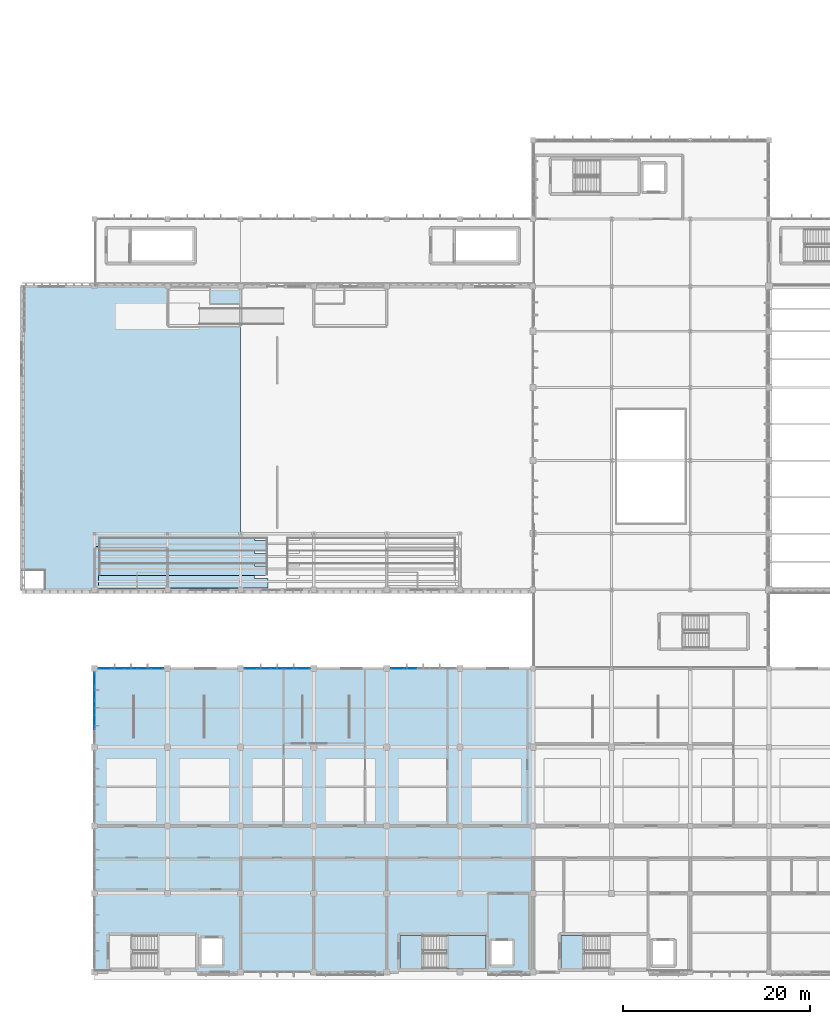
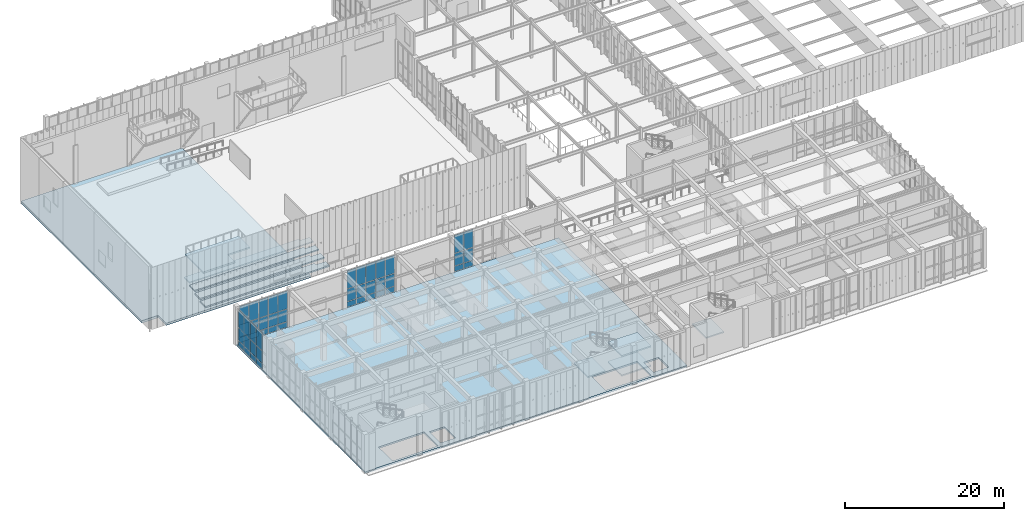
# One storey, part 55 of 105: 48 plates, 11 slabs, 6 elements without a shape of their own.
"""IFC4 building model written with IfcOpenShell, lengths in metres."""

import ifcopenshell
import ifcopenshell.guid

model = None  # the IFC model being written
_history = None  # IfcOwnerHistory: only IFC2X3 demands one
_inside = {}  # id of a spatial element -> (the spatial element, [elements in it])
_under = {}  # id of a project, library or spatial element -> (it, [spatial elements below it])
_declared = {}  # id of a project -> (the project, [libraries it declares])
_typed = {}  # id of a type object -> (the type object, [elements of that type])
_made_of = {}  # id of a material, layer set ... -> (it, [elements and type objects made of it])


def new_model(schema):
    """Start an empty IFC model of exactly this schema.

    Asked for "IFC4X3", IfcOpenShell would pick the latest addendum, in which some entities
    have other attributes; the version numbers below select the first issue.
    IFC2X3 requires an IfcOwnerHistory on every rooted entity: one is made here for all.
    """
    global model, _history
    if schema == "IFC4X3":
        model = ifcopenshell.file(schema_version=(4, 3, 0, 0))
    else:
        model = ifcopenshell.file(schema=schema)
    _inside.clear()
    _under.clear()
    _declared.clear()
    _typed.clear()
    _made_of.clear()
    _history = None
    if model.schema == "IFC2X3":
        org = make("IfcOrganization", Name="unknown")
        user = make(
            "IfcPersonAndOrganization",
            ThePerson=make("IfcPerson", FamilyName="unknown"),
            TheOrganization=org,
        )
        app = make(
            "IfcApplication",
            ApplicationDeveloper=org,
            Version="unknown",
            ApplicationFullName="unknown",
            ApplicationIdentifier="unknown",
        )
        _history = make(
            "IfcOwnerHistory",
            OwningUser=user,
            OwningApplication=app,
            ChangeAction="ADDED",
            CreationDate=0,
        )
    return model


def make(cls, **values):
    """One entity of the class cls with the attributes given. An attribute that is None is left unset."""
    return model.create_entity(
        cls, **{name: value for name, value in values.items() if value is not None}
    )


def rooted(cls, **values):
    """An entity with a GlobalId (a new one), such as an element, a storey or a relation."""
    return make(cls, GlobalId=ifcopenshell.guid.new(), OwnerHistory=_history, **values)


def si_unit(unit_type, name, prefix=None):
    """IfcSIUnit, for example si_unit("LENGTHUNIT", "METRE", prefix="MILLI")."""
    return make("IfcSIUnit", UnitType=unit_type, Prefix=prefix, Name=name)


def assignment(units):
    """IfcUnitAssignment: the units of a project."""
    return None if units is None else make("IfcUnitAssignment", Units=units)


def point(xyz):
    """IfcCartesianPoint."""
    return None if xyz is None else make("IfcCartesianPoint", Coordinates=xyz)


def direction(xyz):
    """IfcDirection."""
    return None if xyz is None else make("IfcDirection", DirectionRatios=xyz)


def frame(location, z_axis=None, x_axis=None):
    """IfcAxis2Placement3D, a coordinate frame: its origin and axes. An axis left out is left unset."""
    return make(
        "IfcAxis2Placement3D",
        Location=point(location),
        Axis=direction(z_axis),
        RefDirection=direction(x_axis),
    )


def frame_2d(location, x_axis=None):
    """IfcAxis2Placement2D, a coordinate frame in the plane: its origin and x axis."""
    return make(
        "IfcAxis2Placement2D", Location=point(location), RefDirection=direction(x_axis)
    )


def origin():
    """The frame at (0, 0, 0) with its axes left unset."""
    return frame((0.0, 0.0, 0.0))


def origin_2d():
    """The frame at (0, 0) in the plane with its x axis left unset."""
    return frame_2d((0.0, 0.0))


def place(relative_to, where):
    """IfcLocalPlacement: puts the frame where relative to a parent placement (None: the world)."""
    return make(
        "IfcLocalPlacement", PlacementRelTo=relative_to, RelativePlacement=where
    )


def context(
    kind, dimensions, precision=None, world=None, true_north=None, identifier=None
):
    """IfcGeometricRepresentationContext, for example the 3D "Model" context."""
    return make(
        "IfcGeometricRepresentationContext",
        ContextIdentifier=identifier,
        ContextType=kind,
        CoordinateSpaceDimension=dimensions,
        Precision=precision,
        WorldCoordinateSystem=world,
        TrueNorth=true_north,
    )


def subcontext(parent, identifier, kind, view, scale=None):
    """IfcGeometricRepresentationSubContext, for example "Body" below "Model"."""
    return make(
        "IfcGeometricRepresentationSubContext",
        ContextIdentifier=identifier,
        ContextType=kind,
        ParentContext=parent,
        TargetScale=scale,
        TargetView=view,
    )


def project(units=None, contexts=None):
    """IfcProject with its units and contexts."""
    return rooted(
        "IfcProject",
        Name="project",
        RepresentationContexts=contexts,
        UnitsInContext=assignment(units),
    )


def spatial(cls, under=None, at=None, **own):
    """A site, building, storey or space (cls), placed at a placement, below another one or the project."""
    s = rooted(cls, ObjectPlacement=at, **own)
    if under is not None:
        _under.setdefault(under.id(), (under, []))[1].append(s)
    return s


def polyline(points):
    """IfcPolyline through the points."""
    return make("IfcPolyline", Points=[point(p) for p in points])


def profile(cls, at=None, kind="AREA", **sizes):
    """A parametric profile (cls). Its sizes go by their IFC names, for example OverallWidth=200.0."""
    return make(cls, ProfileType=kind, Position=at, **sizes)


def rectangle(**sizes):
    """IfcRectangleProfileDef."""
    return profile("IfcRectangleProfileDef", **sizes)


def outline(outer, holes=None, kind="AREA"):
    """IfcArbitraryClosedProfileDef: a profile drawn as a closed curve; with holes, ...WithVoids."""
    if holes is None:
        return make("IfcArbitraryClosedProfileDef", ProfileType=kind, OuterCurve=outer)
    return make(
        "IfcArbitraryProfileDefWithVoids",
        ProfileType=kind,
        OuterCurve=outer,
        InnerCurves=holes,
    )


def extrude(swept, where, along, depth):
    """IfcExtrudedAreaSolid: the profile swept, set in the frame where, extruded along a direction by depth."""
    return make(
        "IfcExtrudedAreaSolid",
        SweptArea=swept,
        Position=where,
        ExtrudedDirection=direction(along),
        Depth=depth,
    )


def shape(context_of_items, identifier, shape_type, items):
    """IfcShapeRepresentation: the items that make up one representation, for example the "Body"."""
    return make(
        "IfcShapeRepresentation",
        ContextOfItems=context_of_items,
        RepresentationIdentifier=identifier,
        RepresentationType=shape_type,
        Items=items,
    )


def material(Name=None, Category=None):
    """IfcMaterial."""
    return make("IfcMaterial", Name=Name, Category=Category)


def layer(
    of_material, thickness, ventilated=None, Name=None, Category=None, Priority=None
):
    """IfcMaterialLayer: one layer of a wall or slab, of a material (None: an air gap)."""
    return make(
        "IfcMaterialLayer",
        Material=of_material,
        LayerThickness=thickness,
        IsVentilated=ventilated,
        Name=Name,
        Category=Category,
        Priority=Priority,
    )


def layer_set(layers, Name=None):
    """IfcMaterialLayerSet."""
    return make("IfcMaterialLayerSet", MaterialLayers=layers, LayerSetName=Name)


def made_of(thing, what):
    """Note that an element or type object is made of a material, layer set ...; save() writes the relation."""
    if what is not None:
        _made_of.setdefault(what.id(), (what, []))[1].append(thing)
    return thing


def type_object(cls, material=None, **own):
    """A type object (cls), such as IfcWallType, which elements share."""
    return made_of(rooted(cls, **own), material)


def element(
    cls,
    number,
    at=None,
    inside=None,
    cuts=None,
    type_object=None,
    material=None,
    context=None,
    identifier="Body",
    shape_type=None,
    held_by="IfcProductDefinitionShape",
    body=None,
    shapes=None,
    **own,
):
    """One element of the class cls, such as IfcWall. Its Tag is "e" and its number.

    at: its placement. inside: the storey or other place that contains it. cuts: it is an
    opening in that element (IfcRelVoidsElement). A single representation is given by context,
    identifier, shape_type and body (its items); several are given by shapes. held_by: the class
    of the entity that holds the representations. save() writes the other relations.
    """
    e = rooted(cls, Tag="e%d" % number, ObjectPlacement=at, **own)
    if body is not None:
        shapes = [shape(context, identifier, shape_type, body)]
    if shapes is not None:
        e.Representation = make(held_by, Representations=shapes)
    if inside is not None:
        _inside.setdefault(inside.id(), (inside, []))[1].append(e)
    if cuts is not None:
        rooted(
            "IfcRelVoidsElement", RelatingBuildingElement=cuts, RelatedOpeningElement=e
        )
    if type_object is not None:
        _typed.setdefault(type_object.id(), (type_object, []))[1].append(e)
    return made_of(e, material)


def aggregate(whole, parts):
    """IfcRelAggregates: a whole, such as a stair, and the parts it consists of."""
    return rooted("IfcRelAggregates", RelatingObject=whole, RelatedObjects=parts)


def save(model, path):
    """Write the relations noted so far, then the file.

    IfcRelAggregates (storeys below a building ...), IfcRelContainedInSpatialStructure (elements
    in a storey), IfcRelDefinesByType, IfcRelAssociatesMaterial and IfcRelDeclares: one each for
    every whole, place, type object, material and project.
    """
    for whole, parts in _under.values():
        aggregate(whole, parts)
    for where, things in _inside.values():
        rooted(
            "IfcRelContainedInSpatialStructure",
            RelatedElements=things,
            RelatingStructure=where,
        )
    for kind, things in _typed.values():
        rooted("IfcRelDefinesByType", RelatedObjects=things, RelatingType=kind)
    for what, things in _made_of.values():
        rooted("IfcRelAssociatesMaterial", RelatedObjects=things, RelatingMaterial=what)
    for by, libraries in _declared.values():
        rooted("IfcRelDeclares", RelatingContext=by, RelatedDefinitions=libraries)
    model.write(path)


model = new_model("IFC4")

# Units and contexts
model_context = context("Model", 3, precision=1e-05, world=origin(), true_north=direction((0.0, 1.0)))
body_context = subcontext(model_context, "Body", "Model", "MODEL_VIEW")
ifc_project = project(units=[si_unit("LENGTHUNIT", "METRE"), si_unit("AREAUNIT", "SQUARE_METRE"), si_unit("VOLUMEUNIT", "CUBIC_METRE"), si_unit("PLANEANGLEUNIT", "RADIAN"), si_unit("MASSUNIT", "GRAM", prefix="KILO")], contexts=[model_context])

# Site, building, storey
site_placement = place(None, origin())
site = spatial("IfcSite", under=ifc_project, at=site_placement, CompositionType="ELEMENT")
building_placement = place(site_placement, origin())
building = spatial("IfcBuilding", under=site, at=building_placement, Name="Tizgana Railside Sports Hall", CompositionType="ELEMENT")
storey_placement = place(building_placement, frame((0.0, 0.0, 6.0)))
storey = spatial("IfcBuildingStorey", under=building, at=storey_placement, Name="L01", CompositionType="ELEMENT", Elevation=6.0)

# Curtain wall, plates
ifc_material_1 = material(Name="Anodised aluminium and glass", Category="aluminium")
curtain_wall_type_1 = type_object("IfcCurtainWallType", Name="Unitised Curtain Wall Passage 1800", PredefinedType="NOTDEFINED", material=ifc_material_1)
curtain_wall_1_placement = place(storey_placement, origin())
curtain_wall_1 = element("IfcCurtainWall", 1, at=curtain_wall_1_placement, inside=storey, type_object=curtain_wall_type_1, Name="L01 Curtain Wall CW-0093", PredefinedType="NOTDEFINED")
ifc_material_2 = material(Name="Double low-E laminated glass", Category="glass")
ifc_layer_1 = layer(ifc_material_2, 0.033935546875, Name="Double low-E laminated glass")
ifc_layer_set_1 = layer_set([ifc_layer_1], Name="Double low-E laminated glass")
plate_type_1 = type_object("IfcPlateType", Name="Acoustic Laminated Glazing Panel 34", PredefinedType="CURTAIN_PANEL", material=ifc_layer_set_1)
plate_1_placement = place(storey_placement, frame((24.500244140625, 32.39990234375, 0.06494140625), z_axis=(0.0, 0.0, 1.0), x_axis=(1.0, 0.0, 0.0)))
plate_1 = element("IfcPlate", 2, at=plate_1_placement, type_object=plate_type_1, Name="CW-06 panel 1.1", PredefinedType="CURTAIN_PANEL", context=body_context, shape_type="SweptSolid", body=[
    extrude(rectangle(XDim=1.310546875, YDim=0.033935546875, at=origin_2d()), origin(), (0.0, 0.0, 1.0), 0.802490234375),
])
plate_2_placement = place(storey_placement, frame((24.500244140625, 32.39990234375, 0.932373046875), z_axis=(0.0, 0.0, 1.0), x_axis=(1.0, 0.0, 0.0)))
plate_2 = element("IfcPlate", 3, at=plate_2_placement, type_object=plate_type_1, Name="CW-06 panel 1.2", PredefinedType="CURTAIN_PANEL", context=body_context, shape_type="SweptSolid", body=[
    extrude(rectangle(XDim=1.310546875, YDim=0.033935546875, at=origin_2d()), origin(), (0.0, 0.0, 1.0), 1.89501953125),
])
plate_3_placement = place(storey_placement, frame((24.500244140625, 32.39990234375, 2.892578125), z_axis=(0.0, 0.0, 1.0), x_axis=(1.0, 0.0, 0.0)))
plate_3 = element("IfcPlate", 4, at=plate_3_placement, type_object=plate_type_1, Name="CW-06 panel 1.3", PredefinedType="CURTAIN_PANEL", context=body_context, shape_type="SweptSolid", body=[
    extrude(rectangle(XDim=1.310546875, YDim=0.033935546875, at=origin_2d()), origin(), (0.0, 0.0, 1.0), 2.762451171875),
])
plate_4_placement = place(storey_placement, frame((25.89208984375, 32.39990234375, 0.06494140625), z_axis=(0.0, 0.0, 1.0), x_axis=(1.0, 0.0, 0.0)))
plate_4 = element("IfcPlate", 5, at=plate_4_placement, type_object=plate_type_1, Name="CW-06 panel 2.1", PredefinedType="CURTAIN_PANEL", context=body_context, shape_type="SweptSolid", body=[
    extrude(rectangle(XDim=1.343017578125, YDim=0.033935546875, at=origin_2d()), origin(), (0.0, 0.0, 1.0), 0.802490234375),
])
plate_5_placement = place(storey_placement, frame((25.89208984375, 32.39990234375, 0.932373046875), z_axis=(0.0, 0.0, 1.0), x_axis=(1.0, 0.0, 0.0)))
plate_5 = element("IfcPlate", 6, at=plate_5_placement, type_object=plate_type_1, Name="CW-06 panel 2.2", PredefinedType="CURTAIN_PANEL", context=body_context, shape_type="SweptSolid", body=[
    extrude(rectangle(XDim=1.343017578125, YDim=0.033935546875, at=origin_2d()), origin(), (0.0, 0.0, 1.0), 1.89501953125),
])
plate_6_placement = place(storey_placement, frame((25.89208984375, 32.39990234375, 2.892578125), z_axis=(0.0, 0.0, 1.0), x_axis=(1.0, 0.0, 0.0)))
plate_6 = element("IfcPlate", 7, at=plate_6_placement, type_object=plate_type_1, Name="CW-06 panel 2.3", PredefinedType="CURTAIN_PANEL", context=body_context, shape_type="SweptSolid", body=[
    extrude(rectangle(XDim=1.343017578125, YDim=0.033935546875, at=origin_2d()), origin(), (0.0, 0.0, 1.0), 2.762451171875),
])
plate_7_placement = place(storey_placement, frame((27.300048828125, 32.39990234375, 0.06494140625), z_axis=(0.0, 0.0, 1.0), x_axis=(1.0, 0.0, 0.0)))
plate_7 = element("IfcPlate", 8, at=plate_7_placement, type_object=plate_type_1, Name="CW-06 panel 3.1", PredefinedType="CURTAIN_PANEL", context=body_context, shape_type="SweptSolid", body=[
    extrude(rectangle(XDim=1.343017578125, YDim=0.033935546875, at=origin_2d()), origin(), (0.0, 0.0, 1.0), 0.802490234375),
])
plate_8_placement = place(storey_placement, frame((27.300048828125, 32.39990234375, 0.932373046875), z_axis=(0.0, 0.0, 1.0), x_axis=(1.0, 0.0, 0.0)))
plate_8 = element("IfcPlate", 9, at=plate_8_placement, type_object=plate_type_1, Name="CW-06 panel 3.2", PredefinedType="CURTAIN_PANEL", context=body_context, shape_type="SweptSolid", body=[
    extrude(rectangle(XDim=1.343017578125, YDim=0.033935546875, at=origin_2d()), origin(), (0.0, 0.0, 1.0), 1.89501953125),
])
plate_9_placement = place(storey_placement, frame((27.300048828125, 32.39990234375, 2.892578125), z_axis=(0.0, 0.0, 1.0), x_axis=(1.0, 0.0, 0.0)))
plate_9 = element("IfcPlate", 10, at=plate_9_placement, type_object=plate_type_1, Name="CW-06 panel 3.3", PredefinedType="CURTAIN_PANEL", context=body_context, shape_type="SweptSolid", body=[
    extrude(rectangle(XDim=1.343017578125, YDim=0.033935546875, at=origin_2d()), origin(), (0.0, 0.0, 1.0), 2.762451171875),
])
plate_10_placement = place(storey_placement, frame((28.7080078125, 32.39990234375, 0.06494140625), z_axis=(0.0, 0.0, 1.0), x_axis=(1.0, 0.0, 0.0)))
plate_10 = element("IfcPlate", 11, at=plate_10_placement, type_object=plate_type_1, Name="CW-06 panel 4.1", PredefinedType="CURTAIN_PANEL", context=body_context, shape_type="SweptSolid", body=[
    extrude(rectangle(XDim=1.343017578125, YDim=0.033935546875, at=origin_2d()), origin(), (0.0, 0.0, 1.0), 0.802490234375),
])
plate_11_placement = place(storey_placement, frame((28.7080078125, 32.39990234375, 0.932373046875), z_axis=(0.0, 0.0, 1.0), x_axis=(1.0, 0.0, 0.0)))
plate_11 = element("IfcPlate", 12, at=plate_11_placement, type_object=plate_type_1, Name="CW-06 panel 4.2", PredefinedType="CURTAIN_PANEL", context=body_context, shape_type="SweptSolid", body=[
    extrude(rectangle(XDim=1.343017578125, YDim=0.033935546875, at=origin_2d()), origin(), (0.0, 0.0, 1.0), 1.89501953125),
])
plate_12_placement = place(storey_placement, frame((28.7080078125, 32.39990234375, 2.892578125), z_axis=(0.0, 0.0, 1.0), x_axis=(1.0, 0.0, 0.0)))
plate_12 = element("IfcPlate", 13, at=plate_12_placement, type_object=plate_type_1, Name="CW-06 panel 4.3", PredefinedType="CURTAIN_PANEL", context=body_context, shape_type="SweptSolid", body=[
    extrude(rectangle(XDim=1.343017578125, YDim=0.033935546875, at=origin_2d()), origin(), (0.0, 0.0, 1.0), 2.762451171875),
])
plate_13_placement = place(storey_placement, frame((30.099853515625, 32.39990234375, 0.06494140625), z_axis=(0.0, 0.0, 1.0), x_axis=(1.0, 0.0, 0.0)))
plate_13 = element("IfcPlate", 14, at=plate_13_placement, type_object=plate_type_1, Name="CW-06 panel 5.1", PredefinedType="CURTAIN_PANEL", context=body_context, shape_type="SweptSolid", body=[
    extrude(rectangle(XDim=1.310546875, YDim=0.033935546875, at=origin_2d()), origin(), (0.0, 0.0, 1.0), 0.802490234375),
])
plate_14_placement = place(storey_placement, frame((30.099853515625, 32.39990234375, 0.932373046875), z_axis=(0.0, 0.0, 1.0), x_axis=(1.0, 0.0, 0.0)))
plate_14 = element("IfcPlate", 15, at=plate_14_placement, type_object=plate_type_1, Name="CW-06 panel 5.2", PredefinedType="CURTAIN_PANEL", context=body_context, shape_type="SweptSolid", body=[
    extrude(rectangle(XDim=1.310546875, YDim=0.033935546875, at=origin_2d()), origin(), (0.0, 0.0, 1.0), 1.89501953125),
])
plate_15_placement = place(storey_placement, frame((30.099853515625, 32.39990234375, 2.892578125), z_axis=(0.0, 0.0, 1.0), x_axis=(1.0, 0.0, 0.0)))
plate_15 = element("IfcPlate", 16, at=plate_15_placement, type_object=plate_type_1, Name="CW-06 panel 5.3", PredefinedType="CURTAIN_PANEL", context=body_context, shape_type="SweptSolid", body=[
    extrude(rectangle(XDim=1.310546875, YDim=0.033935546875, at=origin_2d()), origin(), (0.0, 0.0, 1.0), 2.762451171875),
])
aggregate(curtain_wall_1, [plate_1, plate_2, plate_3, plate_4, plate_5, plate_6, plate_7, plate_8, plate_9, plate_10, plate_11, plate_12, plate_13, plate_14, plate_15])

# Stair, slabs
ifc_material_3 = material(Name="Concrete C35/45", Category="concrete")
stair_type_1 = type_object("IfcStairType", Name="Tournament Court Stair 1600", PredefinedType="HALF_TURN_STAIR", material=ifc_material_3)
stair_1_placement = place(storey_placement, origin())
stair_1 = element("IfcStair", 17, at=stair_1_placement, inside=storey, type_object=stair_type_1, Name="L01 Core Stair ST-02", PredefinedType="HALF_TURN_STAIR")
ifc_layer_2 = layer(ifc_material_3, 0.199951171875, Name="Concrete C35/45")
ifc_layer_set_2 = layer_set([ifc_layer_2], Name="Concrete C35/45")
slab_type_1 = type_object("IfcSlabType", Name="Core Stair Landing Slab 200", PredefinedType="LANDING", material=ifc_layer_set_2)
slab_1_placement = place(storey_placement, frame((0.0, 0.0, 1.300048828125)))
slab_1 = element("IfcSlab", 18, at=slab_1_placement, type_object=slab_type_1, Name="ST-02 landing 1", PredefinedType="LANDING", context=body_context, shape_type="SweptSolid", body=[
    extrude(outline(polyline([(45.320068359375, 0.39990234375), (49.60009765625, 0.39990234375), (49.60009765625, 3.89990234375), (45.320068359375, 3.89990234375), (45.320068359375, 0.39990234375)])), origin(), (0.0, 0.0, 1.0), 0.199951171875),
])
slab_2_placement = place(storey_placement, frame((0.0, 0.0, 2.800048828125)))
slab_2 = element("IfcSlab", 19, at=slab_2_placement, type_object=slab_type_1, Name="ST-02 landing 2", PredefinedType="LANDING", context=body_context, shape_type="SweptSolid", body=[
    extrude(outline(polyline([(40.39990234375, 0.39990234375), (42.97998046875, 0.39990234375), (42.97998046875, 3.89990234375), (40.39990234375, 3.89990234375), (40.39990234375, 0.39990234375)])), origin(), (0.0, 0.0, 1.0), 0.199951171875),
])
slab_3_placement = place(storey_placement, frame((0.0, 0.0, 4.300048828125)))
slab_3 = element("IfcSlab", 20, at=slab_3_placement, type_object=slab_type_1, Name="ST-02 landing 3", PredefinedType="LANDING", context=body_context, shape_type="SweptSolid", body=[
    extrude(outline(polyline([(45.320068359375, 0.39990234375), (49.60009765625, 0.39990234375), (49.60009765625, 3.89990234375), (45.320068359375, 3.89990234375), (45.320068359375, 0.39990234375)])), origin(), (0.0, 0.0, 1.0), 0.199951171875),
])
aggregate(stair_1, [slab_1, slab_2, slab_3])

# Stair, slab
stair_type_2 = type_object("IfcStairType", Name="Spectator Aisle Stair 1400", PredefinedType="HALF_TURN_STAIR", material=ifc_material_3)
stair_2_placement = place(storey_placement, origin())
stair_2 = element("IfcStair", 21, at=stair_2_placement, inside=storey, type_object=stair_type_2, Name="L01 Core Stair ST-03", PredefinedType="HALF_TURN_STAIR")
slab_4_placement = place(storey_placement, frame((0.0, 0.0, 2.800048828125)))
slab_4 = element("IfcSlab", 22, at=slab_4_placement, type_object=slab_type_1, Name="ST-03 landing 2", PredefinedType="LANDING", context=body_context, shape_type="SweptSolid", body=[
    extrude(outline(polyline([(57.60009765625, 0.39990234375), (60.179931640625, 0.39990234375), (60.179931640625, 3.89990234375), (57.60009765625, 3.89990234375), (57.60009765625, 0.39990234375)])), origin(), (0.0, 0.0, 1.0), 0.199951171875),
])
aggregate(stair_2, [slab_4])

# Curtain wall, plates
curtain_wall_type_2 = type_object("IfcCurtainWallType", Name="Unitised Curtain Wall WestHall 1560", PredefinedType="NOTDEFINED", material=ifc_material_1)
curtain_wall_2_placement = place(storey_placement, origin())
curtain_wall_2 = element("IfcCurtainWall", 23, at=curtain_wall_2_placement, inside=storey, type_object=curtain_wall_type_2, Name="L01 Curtain Wall CW-0094", PredefinedType="NOTDEFINED")
ifc_layer_3 = layer(ifc_material_2, 0.0400390625, Name="Double low-E laminated glass")
ifc_layer_set_3 = layer_set([ifc_layer_3], Name="Double low-E laminated glass")
plate_type_2 = type_object("IfcPlateType", Name="High-Span Tempered Glazing Panel 40", PredefinedType="CURTAIN_PANEL", material=ifc_layer_set_3)
plate_16_placement = place(storey_placement, frame((40.1015625, 32.39990234375, 0.070068359375), z_axis=(0.0, 0.0, 1.0), x_axis=(1.0, 0.0, 0.0)))
plate_16 = element("IfcPlate", 24, at=plate_16_placement, type_object=plate_type_2, Name="CW-07 panel 1.1", PredefinedType="CURTAIN_PANEL", context=body_context, shape_type="SweptSolid", body=[
    extrude(rectangle(XDim=1.302978515625, YDim=0.0400390625, at=origin_2d()), origin(), (0.0, 0.0, 1.0), 0.794921875),
])
plate_17_placement = place(storey_placement, frame((40.1015625, 32.39990234375, 0.93505859375), z_axis=(0.0, 0.0, 1.0), x_axis=(1.0, 0.0, 0.0)))
plate_17 = element("IfcPlate", 25, at=plate_17_placement, type_object=plate_type_2, Name="CW-07 panel 1.2", PredefinedType="CURTAIN_PANEL", context=body_context, shape_type="SweptSolid", body=[
    extrude(rectangle(XDim=1.302978515625, YDim=0.0400390625, at=origin_2d()), origin(), (0.0, 0.0, 1.0), 1.889892578125),
])
plate_18_placement = place(storey_placement, frame((40.1015625, 32.39990234375, 2.89501953125), z_axis=(0.0, 0.0, 1.0), x_axis=(1.0, 0.0, 0.0)))
plate_18 = element("IfcPlate", 26, at=plate_18_placement, type_object=plate_type_2, Name="CW-07 panel 1.3", PredefinedType="CURTAIN_PANEL", context=body_context, shape_type="SweptSolid", body=[
    extrude(rectangle(XDim=1.302978515625, YDim=0.0400390625, at=origin_2d()), origin(), (0.0, 0.0, 1.0), 2.7548828125),
])
plate_19_placement = place(storey_placement, frame((41.491943359375, 32.39990234375, 0.070068359375), z_axis=(0.0, 0.0, 1.0), x_axis=(1.0, 0.0, 0.0)))
plate_19 = element("IfcPlate", 27, at=plate_19_placement, type_object=plate_type_2, Name="CW-07 panel 2.1", PredefinedType="CURTAIN_PANEL", context=body_context, shape_type="SweptSolid", body=[
    extrude(rectangle(XDim=1.337890625, YDim=0.0400390625, at=origin_2d()), origin(), (0.0, 0.0, 1.0), 0.794921875),
])
plate_20_placement = place(storey_placement, frame((41.491943359375, 32.39990234375, 0.93505859375), z_axis=(0.0, 0.0, 1.0), x_axis=(1.0, 0.0, 0.0)))
plate_20 = element("IfcPlate", 28, at=plate_20_placement, type_object=plate_type_2, Name="CW-07 panel 2.2", PredefinedType="CURTAIN_PANEL", context=body_context, shape_type="SweptSolid", body=[
    extrude(rectangle(XDim=1.337890625, YDim=0.0400390625, at=origin_2d()), origin(), (0.0, 0.0, 1.0), 1.889892578125),
])
plate_21_placement = place(storey_placement, frame((41.491943359375, 32.39990234375, 2.89501953125), z_axis=(0.0, 0.0, 1.0), x_axis=(1.0, 0.0, 0.0)))
plate_21 = element("IfcPlate", 29, at=plate_21_placement, type_object=plate_type_2, Name="CW-07 panel 2.3", PredefinedType="CURTAIN_PANEL", context=body_context, shape_type="SweptSolid", body=[
    extrude(rectangle(XDim=1.337890625, YDim=0.0400390625, at=origin_2d()), origin(), (0.0, 0.0, 1.0), 2.7548828125),
])
aggregate(curtain_wall_2, [plate_16, plate_17, plate_18, plate_19, plate_20, plate_21])

curtain_wall_type_3 = type_object("IfcCurtainWallType", Name="Unitised Curtain Wall Climbing 1600", PredefinedType="NOTDEFINED", material=ifc_material_1)
curtain_wall_3_placement = place(storey_placement, origin())
curtain_wall_3 = element("IfcCurtainWall", 30, at=curtain_wall_3_placement, inside=storey, type_object=curtain_wall_type_3, Name="L01 Curtain Wall CW-0099", PredefinedType="NOTDEFINED")
ifc_layer_4 = layer(ifc_material_2, 0.031982421875, Name="Double low-E laminated glass")
ifc_layer_set_4 = layer_set([ifc_layer_4], Name="Double low-E laminated glass")
plate_type_3 = type_object("IfcPlateType", Name="North-Light Clerestory Glazing Panel 32", PredefinedType="CURTAIN_PANEL", material=ifc_layer_set_4)
plate_22_placement = place(storey_placement, frame((7.800048828125, 31.23974609375, 0.06494140625), z_axis=(0.0, 0.0, 1.0), x_axis=(0.0, -1.0, 0.0)))
plate_22 = element("IfcPlate", 31, at=plate_22_placement, type_object=plate_type_3, Name="CW-04 panel 1.1", PredefinedType="CURTAIN_PANEL", context=body_context, shape_type="SweptSolid", body=[
    extrude(rectangle(XDim=1.430419921875, YDim=0.031982421875, at=origin_2d()), origin(), (0.0, 0.0, 1.0), 0.802490234375),
])
plate_23_placement = place(storey_placement, frame((7.800048828125, 31.23974609375, 0.932373046875), z_axis=(0.0, 0.0, 1.0), x_axis=(0.0, -1.0, 0.0)))
plate_23 = element("IfcPlate", 32, at=plate_23_placement, type_object=plate_type_3, Name="CW-04 panel 1.2", PredefinedType="CURTAIN_PANEL", context=body_context, shape_type="SweptSolid", body=[
    extrude(rectangle(XDim=1.430419921875, YDim=0.031982421875, at=origin_2d()), origin(), (0.0, 0.0, 1.0), 1.89501953125),
])
plate_24_placement = place(storey_placement, frame((7.800048828125, 31.23974609375, 2.892578125), z_axis=(0.0, 0.0, 1.0), x_axis=(0.0, -1.0, 0.0)))
plate_24 = element("IfcPlate", 33, at=plate_24_placement, type_object=plate_type_3, Name="CW-04 panel 1.3", PredefinedType="CURTAIN_PANEL", context=body_context, shape_type="SweptSolid", body=[
    extrude(rectangle(XDim=1.430419921875, YDim=0.031982421875, at=origin_2d()), origin(), (0.0, 0.0, 1.0), 2.762451171875),
])
plate_25_placement = place(storey_placement, frame((7.800048828125, 29.72802734375, 0.06494140625), z_axis=(0.0, 0.0, 1.0), x_axis=(0.0, -1.0, 0.0)))
plate_25 = element("IfcPlate", 34, at=plate_25_placement, type_object=plate_type_3, Name="CW-04 panel 2.1", PredefinedType="CURTAIN_PANEL", context=body_context, shape_type="SweptSolid", body=[
    extrude(rectangle(XDim=1.462890625, YDim=0.031982421875, at=origin_2d()), origin(), (0.0, 0.0, 1.0), 0.802490234375),
])
plate_26_placement = place(storey_placement, frame((7.800048828125, 29.72802734375, 0.932373046875), z_axis=(0.0, 0.0, 1.0), x_axis=(0.0, -1.0, 0.0)))
plate_26 = element("IfcPlate", 35, at=plate_26_placement, type_object=plate_type_3, Name="CW-04 panel 2.2", PredefinedType="CURTAIN_PANEL", context=body_context, shape_type="SweptSolid", body=[
    extrude(rectangle(XDim=1.462890625, YDim=0.031982421875, at=origin_2d()), origin(), (0.0, 0.0, 1.0), 1.89501953125),
])
plate_27_placement = place(storey_placement, frame((7.800048828125, 29.72802734375, 2.892578125), z_axis=(0.0, 0.0, 1.0), x_axis=(0.0, -1.0, 0.0)))
plate_27 = element("IfcPlate", 36, at=plate_27_placement, type_object=plate_type_3, Name="CW-04 panel 2.3", PredefinedType="CURTAIN_PANEL", context=body_context, shape_type="SweptSolid", body=[
    extrude(rectangle(XDim=1.462890625, YDim=0.031982421875, at=origin_2d()), origin(), (0.0, 0.0, 1.0), 2.762451171875),
])
plate_28_placement = place(storey_placement, frame((7.800048828125, 28.199951171875, 0.06494140625), z_axis=(0.0, 0.0, 1.0), x_axis=(0.0, -1.0, 0.0)))
plate_28 = element("IfcPlate", 37, at=plate_28_placement, type_object=plate_type_3, Name="CW-04 panel 3.1", PredefinedType="CURTAIN_PANEL", context=body_context, shape_type="SweptSolid", body=[
    extrude(rectangle(XDim=1.462890625, YDim=0.031982421875, at=origin_2d()), origin(), (0.0, 0.0, 1.0), 0.802490234375),
])
plate_29_placement = place(storey_placement, frame((7.800048828125, 28.199951171875, 0.932373046875), z_axis=(0.0, 0.0, 1.0), x_axis=(0.0, -1.0, 0.0)))
plate_29 = element("IfcPlate", 38, at=plate_29_placement, type_object=plate_type_3, Name="CW-04 panel 3.2", PredefinedType="CURTAIN_PANEL", context=body_context, shape_type="SweptSolid", body=[
    extrude(rectangle(XDim=1.462890625, YDim=0.031982421875, at=origin_2d()), origin(), (0.0, 0.0, 1.0), 1.89501953125),
])
plate_30_placement = place(storey_placement, frame((7.800048828125, 28.199951171875, 2.892578125), z_axis=(0.0, 0.0, 1.0), x_axis=(0.0, -1.0, 0.0)))
plate_30 = element("IfcPlate", 39, at=plate_30_placement, type_object=plate_type_3, Name="CW-04 panel 3.3", PredefinedType="CURTAIN_PANEL", context=body_context, shape_type="SweptSolid", body=[
    extrude(rectangle(XDim=1.462890625, YDim=0.031982421875, at=origin_2d()), origin(), (0.0, 0.0, 1.0), 2.762451171875),
])
plate_31_placement = place(storey_placement, frame((7.800048828125, 26.672119140625, 0.06494140625), z_axis=(0.0, 0.0, 1.0), x_axis=(0.0, -1.0, 0.0)))
plate_31 = element("IfcPlate", 40, at=plate_31_placement, type_object=plate_type_3, Name="CW-04 panel 4.1", PredefinedType="CURTAIN_PANEL", context=body_context, shape_type="SweptSolid", body=[
    extrude(rectangle(XDim=1.462890625, YDim=0.031982421875, at=origin_2d()), origin(), (0.0, 0.0, 1.0), 0.802490234375),
])
plate_32_placement = place(storey_placement, frame((7.800048828125, 26.672119140625, 0.932373046875), z_axis=(0.0, 0.0, 1.0), x_axis=(0.0, -1.0, 0.0)))
plate_32 = element("IfcPlate", 41, at=plate_32_placement, type_object=plate_type_3, Name="CW-04 panel 4.2", PredefinedType="CURTAIN_PANEL", context=body_context, shape_type="SweptSolid", body=[
    extrude(rectangle(XDim=1.462890625, YDim=0.031982421875, at=origin_2d()), origin(), (0.0, 0.0, 1.0), 1.89501953125),
])
plate_33_placement = place(storey_placement, frame((7.800048828125, 26.672119140625, 2.892578125), z_axis=(0.0, 0.0, 1.0), x_axis=(0.0, -1.0, 0.0)))
plate_33 = element("IfcPlate", 42, at=plate_33_placement, type_object=plate_type_3, Name="CW-04 panel 4.3", PredefinedType="CURTAIN_PANEL", context=body_context, shape_type="SweptSolid", body=[
    extrude(rectangle(XDim=1.462890625, YDim=0.031982421875, at=origin_2d()), origin(), (0.0, 0.0, 1.0), 2.762451171875),
])
aggregate(curtain_wall_3, [plate_22, plate_23, plate_24, plate_25, plate_26, plate_27, plate_28, plate_29, plate_30, plate_31, plate_32, plate_33])

# Slab
ifc_material_4 = material(Name="Concrete C40/50", Category="concrete")
ifc_layer_5 = layer(ifc_material_4, 0.340087890625, Name="Concrete C40/50")
ifc_layer_set_5 = layer_set([ifc_layer_5], Name="Concrete C40/50")
slab_type_2 = type_object("IfcSlabType", Name="Post-Tensioned Overhang Slab 340", PredefinedType="FLOOR", material=ifc_layer_set_5)
slab_5_placement = place(storey_placement, frame((0.0, 0.0, -0.340087890625)))
element("IfcSlab", 43, at=slab_5_placement, inside=storey, type_object=slab_type_2, Name="L01 V1 Cantilever & West Court Slab SLB-0015", PredefinedType="FLOOR", context=body_context, shape_type="SweptSolid", body=[
    extrude(outline(polyline([(2.39990234375, 40.800048828125), (23.39990234375, 40.800048828125), (23.39990234375, 73.199951171875), (0.0, 73.199951171875), (0.0, 42.800048828125), (2.39990234375, 42.800048828125), (2.39990234375, 40.800048828125)])), origin(), (0.0, 0.0, 1.0), 0.340087890625),
])

# Curtain wall, plates
curtain_wall_type_4 = type_object("IfcCurtainWallType", Name="Unitised Curtain Wall Clinic 1200", PredefinedType="NOTDEFINED", material=ifc_material_1)
curtain_wall_4_placement = place(storey_placement, origin())
curtain_wall_4 = element("IfcCurtainWall", 44, at=curtain_wall_4_placement, inside=storey, type_object=curtain_wall_type_4, Name="L01 Curtain Wall CW-0092", PredefinedType="NOTDEFINED")
ifc_layer_6 = layer(ifc_material_2, 0.028076171875, Name="Double low-E laminated glass")
ifc_layer_set_6 = layer_set([ifc_layer_6], Name="Double low-E laminated glass")
plate_type_4 = type_object("IfcPlateType", Name="Solar Low-E Glazing Panel 28", PredefinedType="CURTAIN_PANEL", material=ifc_layer_set_6)
plate_34_placement = place(storey_placement, frame((8.89892578125, 32.39990234375, 0.06005859375), z_axis=(0.0, 0.0, 1.0), x_axis=(1.0, 0.0, 0.0)))
plate_34 = element("IfcPlate", 45, at=plate_34_placement, type_object=plate_type_4, Name="CW-05 panel 1.1", PredefinedType="CURTAIN_PANEL", context=body_context, shape_type="SweptSolid", body=[
    extrude(rectangle(XDim=1.318115234375, YDim=0.028076171875, at=origin_2d()), origin(), (0.0, 0.0, 1.0), 0.81005859375),
])
plate_35_placement = place(storey_placement, frame((8.89892578125, 32.39990234375, 0.929931640625), z_axis=(0.0, 0.0, 1.0), x_axis=(1.0, 0.0, 0.0)))
plate_35 = element("IfcPlate", 46, at=plate_35_placement, type_object=plate_type_4, Name="CW-05 panel 1.2", PredefinedType="CURTAIN_PANEL", context=body_context, shape_type="SweptSolid", body=[
    extrude(rectangle(XDim=1.318115234375, YDim=0.028076171875, at=origin_2d()), origin(), (0.0, 0.0, 1.0), 1.89990234375),
])
plate_36_placement = place(storey_placement, frame((8.89892578125, 32.39990234375, 2.889892578125), z_axis=(0.0, 0.0, 1.0), x_axis=(1.0, 0.0, 0.0)))
plate_36 = element("IfcPlate", 47, at=plate_36_placement, type_object=plate_type_4, Name="CW-05 panel 1.3", PredefinedType="CURTAIN_PANEL", context=body_context, shape_type="SweptSolid", body=[
    extrude(rectangle(XDim=1.318115234375, YDim=0.028076171875, at=origin_2d()), origin(), (0.0, 0.0, 1.0), 2.77001953125),
])
plate_37_placement = place(storey_placement, frame((10.2919921875, 32.39990234375, 0.06005859375), z_axis=(0.0, 0.0, 1.0), x_axis=(1.0, 0.0, 0.0)))
plate_37 = element("IfcPlate", 48, at=plate_37_placement, type_object=plate_type_4, Name="CW-05 panel 2.1", PredefinedType="CURTAIN_PANEL", context=body_context, shape_type="SweptSolid", body=[
    extrude(rectangle(XDim=1.347900390625, YDim=0.028076171875, at=origin_2d()), origin(), (0.0, 0.0, 1.0), 0.81005859375),
])
plate_38_placement = place(storey_placement, frame((10.2919921875, 32.39990234375, 0.929931640625), z_axis=(0.0, 0.0, 1.0), x_axis=(1.0, 0.0, 0.0)))
plate_38 = element("IfcPlate", 49, at=plate_38_placement, type_object=plate_type_4, Name="CW-05 panel 2.2", PredefinedType="CURTAIN_PANEL", context=body_context, shape_type="SweptSolid", body=[
    extrude(rectangle(XDim=1.347900390625, YDim=0.028076171875, at=origin_2d()), origin(), (0.0, 0.0, 1.0), 1.89990234375),
])
plate_39_placement = place(storey_placement, frame((10.2919921875, 32.39990234375, 2.889892578125), z_axis=(0.0, 0.0, 1.0), x_axis=(1.0, 0.0, 0.0)))
plate_39 = element("IfcPlate", 50, at=plate_39_placement, type_object=plate_type_4, Name="CW-05 panel 2.3", PredefinedType="CURTAIN_PANEL", context=body_context, shape_type="SweptSolid", body=[
    extrude(rectangle(XDim=1.347900390625, YDim=0.028076171875, at=origin_2d()), origin(), (0.0, 0.0, 1.0), 2.77001953125),
])
plate_40_placement = place(storey_placement, frame((11.699951171875, 32.39990234375, 0.06005859375), z_axis=(0.0, 0.0, 1.0), x_axis=(1.0, 0.0, 0.0)))
plate_40 = element("IfcPlate", 51, at=plate_40_placement, type_object=plate_type_4, Name="CW-05 panel 3.1", PredefinedType="CURTAIN_PANEL", context=body_context, shape_type="SweptSolid", body=[
    extrude(rectangle(XDim=1.347900390625, YDim=0.028076171875, at=origin_2d()), origin(), (0.0, 0.0, 1.0), 0.81005859375),
])
plate_41_placement = place(storey_placement, frame((11.699951171875, 32.39990234375, 0.929931640625), z_axis=(0.0, 0.0, 1.0), x_axis=(1.0, 0.0, 0.0)))
plate_41 = element("IfcPlate", 52, at=plate_41_placement, type_object=plate_type_4, Name="CW-05 panel 3.2", PredefinedType="CURTAIN_PANEL", context=body_context, shape_type="SweptSolid", body=[
    extrude(rectangle(XDim=1.347900390625, YDim=0.028076171875, at=origin_2d()), origin(), (0.0, 0.0, 1.0), 1.89990234375),
])
plate_42_placement = place(storey_placement, frame((11.699951171875, 32.39990234375, 2.889892578125), z_axis=(0.0, 0.0, 1.0), x_axis=(1.0, 0.0, 0.0)))
plate_42 = element("IfcPlate", 53, at=plate_42_placement, type_object=plate_type_4, Name="CW-05 panel 3.3", PredefinedType="CURTAIN_PANEL", context=body_context, shape_type="SweptSolid", body=[
    extrude(rectangle(XDim=1.347900390625, YDim=0.028076171875, at=origin_2d()), origin(), (0.0, 0.0, 1.0), 2.77001953125),
])
plate_43_placement = place(storey_placement, frame((13.10791015625, 32.39990234375, 0.06005859375), z_axis=(0.0, 0.0, 1.0), x_axis=(1.0, 0.0, 0.0)))
plate_43 = element("IfcPlate", 54, at=plate_43_placement, type_object=plate_type_4, Name="CW-05 panel 4.1", PredefinedType="CURTAIN_PANEL", context=body_context, shape_type="SweptSolid", body=[
    extrude(rectangle(XDim=1.347900390625, YDim=0.028076171875, at=origin_2d()), origin(), (0.0, 0.0, 1.0), 0.81005859375),
])
plate_44_placement = place(storey_placement, frame((13.10791015625, 32.39990234375, 0.929931640625), z_axis=(0.0, 0.0, 1.0), x_axis=(1.0, 0.0, 0.0)))
plate_44 = element("IfcPlate", 55, at=plate_44_placement, type_object=plate_type_4, Name="CW-05 panel 4.2", PredefinedType="CURTAIN_PANEL", context=body_context, shape_type="SweptSolid", body=[
    extrude(rectangle(XDim=1.347900390625, YDim=0.028076171875, at=origin_2d()), origin(), (0.0, 0.0, 1.0), 1.89990234375),
])
plate_45_placement = place(storey_placement, frame((13.10791015625, 32.39990234375, 2.889892578125), z_axis=(0.0, 0.0, 1.0), x_axis=(1.0, 0.0, 0.0)))
plate_45 = element("IfcPlate", 56, at=plate_45_placement, type_object=plate_type_4, Name="CW-05 panel 4.3", PredefinedType="CURTAIN_PANEL", context=body_context, shape_type="SweptSolid", body=[
    extrude(rectangle(XDim=1.347900390625, YDim=0.028076171875, at=origin_2d()), origin(), (0.0, 0.0, 1.0), 2.77001953125),
])
plate_46_placement = place(storey_placement, frame((14.5009765625, 32.39990234375, 0.06005859375), z_axis=(0.0, 0.0, 1.0), x_axis=(1.0, 0.0, 0.0)))
plate_46 = element("IfcPlate", 57, at=plate_46_placement, type_object=plate_type_4, Name="CW-05 panel 5.1", PredefinedType="CURTAIN_PANEL", context=body_context, shape_type="SweptSolid", body=[
    extrude(rectangle(XDim=1.318115234375, YDim=0.028076171875, at=origin_2d()), origin(), (0.0, 0.0, 1.0), 0.81005859375),
])
plate_47_placement = place(storey_placement, frame((14.5009765625, 32.39990234375, 0.929931640625), z_axis=(0.0, 0.0, 1.0), x_axis=(1.0, 0.0, 0.0)))
plate_47 = element("IfcPlate", 58, at=plate_47_placement, type_object=plate_type_4, Name="CW-05 panel 5.2", PredefinedType="CURTAIN_PANEL", context=body_context, shape_type="SweptSolid", body=[
    extrude(rectangle(XDim=1.318115234375, YDim=0.028076171875, at=origin_2d()), origin(), (0.0, 0.0, 1.0), 1.89990234375),
])
plate_48_placement = place(storey_placement, frame((14.5009765625, 32.39990234375, 2.889892578125), z_axis=(0.0, 0.0, 1.0), x_axis=(1.0, 0.0, 0.0)))
plate_48 = element("IfcPlate", 59, at=plate_48_placement, type_object=plate_type_4, Name="CW-05 panel 5.3", PredefinedType="CURTAIN_PANEL", context=body_context, shape_type="SweptSolid", body=[
    extrude(rectangle(XDim=1.318115234375, YDim=0.028076171875, at=origin_2d()), origin(), (0.0, 0.0, 1.0), 2.77001953125),
])
aggregate(curtain_wall_4, [plate_34, plate_35, plate_36, plate_37, plate_38, plate_39, plate_40, plate_41, plate_42, plate_43, plate_44, plate_45, plate_46, plate_47, plate_48])

# Slabs
ifc_material_5 = material(Name="Precast concrete C40/50", Category="concrete")
ifc_layer_7 = layer(ifc_material_5, 0.2099609375, Name="Precast concrete C40/50")
ifc_layer_set_7 = layer_set([ifc_layer_7], Name="Precast concrete C40/50")
slab_type_3 = type_object("IfcSlabType", Name="Spectator Seating Tier Slab 210", PredefinedType="USERDEFINED", material=ifc_layer_set_7)
slab_6_placement = place(storey_placement, frame((0.0, 0.0, 0.2099609375)))
element("IfcSlab", 60, at=slab_6_placement, inside=storey, type_object=slab_type_3, Name="L01 Court 1 South Stand W1 SLB-0047", ObjectType="SEATING_TIER", PredefinedType="USERDEFINED", context=body_context, shape_type="SweptSolid", body=[
    extrude(outline(polyline([(8.25, 41.0), (26.300048828125, 41.0), (26.300048828125, 42.0), (24.89990234375, 42.0), (24.89990234375, 42.35009765625), (8.25, 42.35009765625), (8.25, 41.0)])), origin(), (0.0, 0.0, 1.0), 0.2099609375),
])
slab_7_placement = place(storey_placement, frame((0.0, 0.0, 0.6298828125)))
element("IfcSlab", 61, at=slab_7_placement, inside=storey, type_object=slab_type_3, Name="L01 Court 1 South Stand W2 SLB-0049", ObjectType="SEATING_TIER", PredefinedType="USERDEFINED", context=body_context, shape_type="SweptSolid", body=[
    extrude(outline(polyline([(8.25, 42.35009765625), (26.300048828125, 42.35009765625), (26.300048828125, 43.35009765625), (24.89990234375, 43.35009765625), (24.89990234375, 43.699951171875), (8.25, 43.699951171875), (8.25, 42.35009765625)])), origin(), (0.0, 0.0, 1.0), 0.210205078125),
])
ifc_layer_8 = layer(ifc_material_3, 0.25, Name="Concrete C35/45")
ifc_layer_set_8 = layer_set([ifc_layer_8], Name="Concrete C35/45")
slab_type_4 = type_object("IfcSlabType", Name="Suspended Clinic Floor Slab 250", PredefinedType="FLOOR", material=ifc_layer_set_8)
slab_8_placement = place(storey_placement, frame((0.0, 0.0, -0.25)))
element("IfcSlab", 62, at=slab_8_placement, inside=storey, type_object=slab_type_4, Name="L01 V5 West Clinic Slab SLB-0024", PredefinedType="FLOOR", context=body_context, shape_type="SweptSolid", body=[
    extrude(outline(polyline([(7.800048828125, 0.0), (54.60009765625, 0.0), (54.60009765625, 32.39990234375), (7.800048828125, 32.39990234375), (7.800048828125, 0.0)]), holes=[polyline([(11.97998046875, 0.39990234375), (18.60009765625, 0.39990234375), (18.60009765625, 3.89990234375), (11.97998046875, 3.89990234375), (11.97998046875, 0.39990234375)]), polyline([(19.199951171875, 0.800048828125), (21.39990234375, 0.800048828125), (21.39990234375, 3.60009765625), (19.199951171875, 3.60009765625), (19.199951171875, 0.800048828125)]), polyline([(42.97998046875, 0.39990234375), (49.60009765625, 0.39990234375), (49.60009765625, 3.89990234375), (42.97998046875, 3.89990234375), (42.97998046875, 0.39990234375)]), polyline([(50.199951171875, 0.800048828125), (52.39990234375, 0.800048828125), (52.39990234375, 3.300048828125), (50.199951171875, 3.300048828125), (50.199951171875, 0.800048828125)])]), origin(), (0.0, 0.0, 1.0), 0.25),
])
ifc_layer_9 = layer(ifc_material_3, 0.22998046875, Name="Concrete C35/45")
ifc_layer_set_9 = layer_set([ifc_layer_9], Name="Concrete C35/45")
slab_type_5 = type_object("IfcSlabType", Name="Suspended Gallery Floor Slab 230", PredefinedType="FLOOR", material=ifc_layer_set_9)
slab_9_placement = place(storey_placement, frame((0.0, 0.0, 5.77001953125)))
element("IfcSlab", 63, at=slab_9_placement, inside=storey, type_object=slab_type_5, Name="L01 V1 Catwalk SW SLB-0115", PredefinedType="FLOOR", context=body_context, shape_type="SweptSolid", body=[
    extrude(outline(polyline([(7.800048828125, 40.800048828125), (12.39990234375, 40.800048828125), (12.39990234375, 42.60009765625), (15.60009765625, 42.60009765625), (15.60009765625, 45.39990234375), (7.800048828125, 45.39990234375), (7.800048828125, 40.800048828125)])), origin(), (0.0, 0.0, 1.0), 0.22998046875),
])
ifc_layer_10 = layer(ifc_material_5, 0.18994140625, Name="Precast concrete C40/50")
ifc_layer_set_10 = layer_set([ifc_layer_10], Name="Precast concrete C40/50")
slab_type_6 = type_object("IfcSlabType", Name="Upper Bowl Seating Tier Slab 190", PredefinedType="USERDEFINED", material=ifc_layer_set_10)
slab_10_placement = place(storey_placement, frame((0.0, 0.0, 1.070068359375)))
element("IfcSlab", 64, at=slab_10_placement, inside=storey, type_object=slab_type_6, Name="L01 Court 1 South Stand W3 SLB-0051", ObjectType="SEATING_TIER", PredefinedType="USERDEFINED", context=body_context, shape_type="SweptSolid", body=[
    extrude(outline(polyline([(8.25, 43.699951171875), (26.300048828125, 43.699951171875), (26.300048828125, 44.699951171875), (24.89990234375, 44.699951171875), (24.89990234375, 45.050048828125), (8.25, 45.050048828125), (8.25, 43.699951171875)])), origin(), (0.0, 0.0, 1.0), 0.18994140625),
])
slab_11_placement = place(storey_placement, frame((0.0, 0.0, 1.489990234375)))
element("IfcSlab", 65, at=slab_11_placement, inside=storey, type_object=slab_type_6, Name="L01 Court 1 South Stand W4 SLB-0053", ObjectType="SEATING_TIER", PredefinedType="USERDEFINED", context=body_context, shape_type="SweptSolid", body=[
    extrude(outline(polyline([(8.25, 45.050048828125), (26.300048828125, 45.050048828125), (26.300048828125, 46.050048828125), (24.89990234375, 46.050048828125), (24.89990234375, 46.39990234375), (8.25, 46.39990234375), (8.25, 45.050048828125)])), origin(), (0.0, 0.0, 1.0), 0.18994140625),
])

save(model, "model.ifc")
